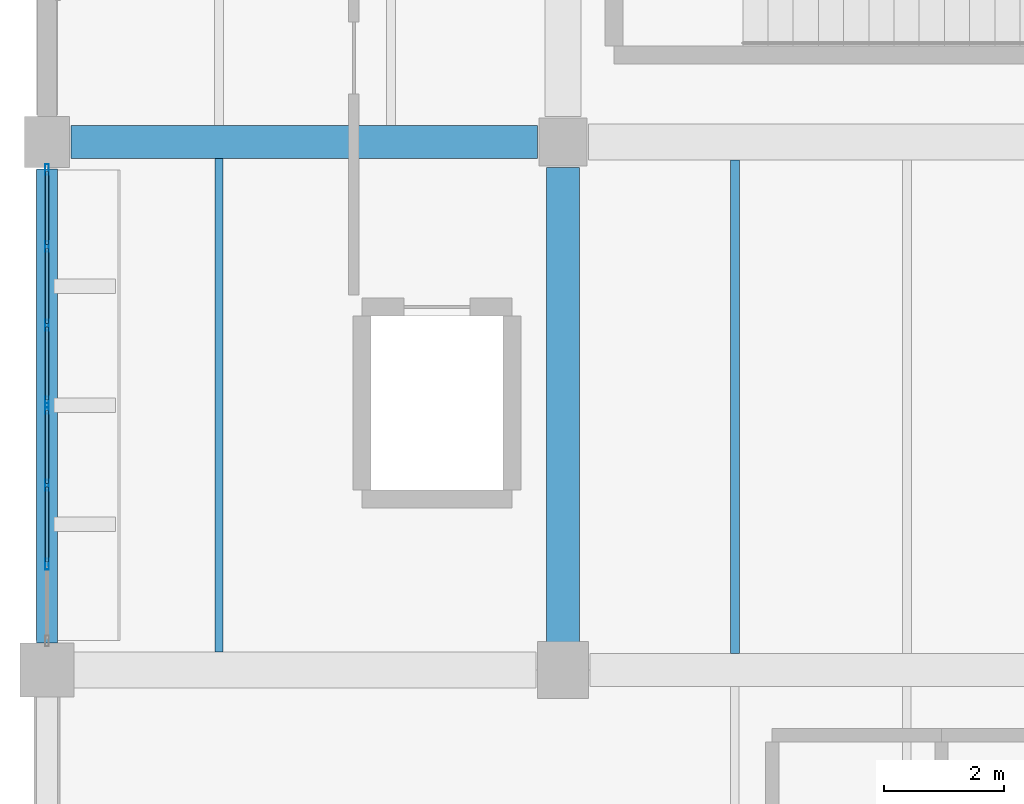
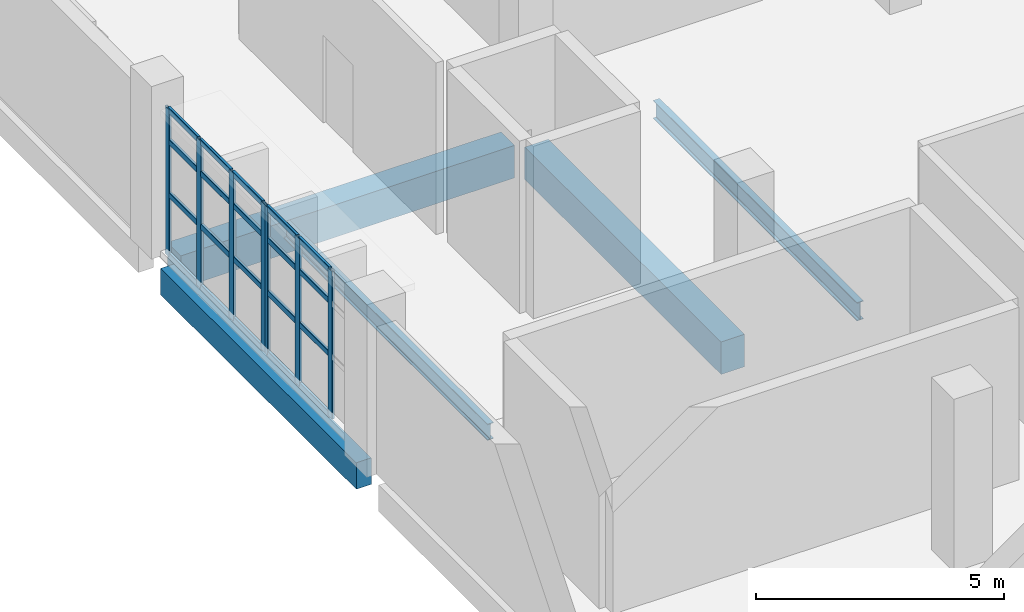
# One storey, part 15 of 76: 27 members, 5 beams, 2 elements without a shape of their own.
"""IFC4 building model written with IfcOpenShell, lengths in metres."""

from ifc_helpers import new_model, si_unit, direction, frame, origin, origin_2d, place, context, subcontext, project, spatial, rectangle, hollow_rectangle, i_section, extrude, material, material_profile, profile_set, type_object, element, aggregate, save


model = new_model("IFC4")

# Units and contexts
model_context = context("Model", 3, precision=1e-05, world=origin(), true_north=direction((0.0, 1.0)))
body_context = subcontext(model_context, "Body", "Model", "MODEL_VIEW")
ifc_project = project(units=[si_unit("LENGTHUNIT", "METRE"), si_unit("AREAUNIT", "SQUARE_METRE"), si_unit("VOLUMEUNIT", "CUBIC_METRE"), si_unit("PLANEANGLEUNIT", "RADIAN"), si_unit("MASSUNIT", "GRAM", prefix="KILO")], contexts=[model_context])

# Site, building, storey
site_placement = place(None, origin())
site = spatial("IfcSite", under=ifc_project, at=site_placement, CompositionType="ELEMENT")
building_placement = place(site_placement, origin())
building = spatial("IfcBuilding", under=site, at=building_placement, Name="Varnakota Cinema and Media Centre", CompositionType="ELEMENT")
storey_placement = place(building_placement, origin())
storey = spatial("IfcBuildingStorey", under=building, at=storey_placement, Name="L00", CompositionType="ELEMENT", Elevation=0.0)

# Beams
ifc_material_1 = material(Name="Concrete M35", Category="concrete")
ifc_material_profile_1 = material_profile(ifc_material_1, rectangle(XDim=0.550048828125, YDim=0.800048828125, at=origin_2d()), Name="RCB 550x800")
ifc_profile_set_1 = profile_set([ifc_material_profile_1], Name="Concrete M35")
beam_type_1 = type_object("IfcBeamType", Name="BM-RC-550x800", PredefinedType="BEAM", material=ifc_profile_set_1)
beam_1_placement = place(storey_placement, frame((0.39990234375, 44.0, -0.679931640625), z_axis=(1.0, 0.0, 0.0), x_axis=(0.0, 1.0, 0.0)))
element("IfcBeam", 1, at=beam_1_placement, inside=storey, type_object=beam_type_1, Name="L00 girder A-B/6", PredefinedType="BEAM", context=body_context, shape_type="SweptSolid", body=[
    extrude(rectangle(XDim=0.550048828125, YDim=0.800048828125, at=origin_2d()), origin(), (0.0, 0.0, 1.0), 7.775146484375),
])
beam_2_placement = place(storey_placement, frame((8.60009765625, 35.64990234375, -0.679931640625), z_axis=(0.0, 1.0, 0.0), x_axis=(-1.0, 0.0, 0.0)))
element("IfcBeam", 2, at=beam_2_placement, inside=storey, type_object=beam_type_1, Name="L00 girder B/5-6", PredefinedType="BEAM", context=body_context, shape_type="SweptSolid", body=[
    extrude(rectangle(XDim=0.550048828125, YDim=0.800048828125, at=origin_2d()), origin(), (0.0, 0.0, 1.0), 7.925048828125),
])
ifc_material_2 = material(Name="Concrete M40", Category="concrete")
ifc_material_profile_2 = material_profile(ifc_material_2, rectangle(XDim=0.35009765625, YDim=0.64990234375, at=origin_2d()), Name="RCB 350x650")
ifc_profile_set_2 = profile_set([ifc_material_profile_2], Name="Concrete M40")
beam_type_2 = type_object("IfcBeamType", Name="BM-SP-350x650", PredefinedType="SPANDREL", material=ifc_profile_set_2)
beam_3_placement = place(storey_placement, frame((0.0, 35.64990234375, -0.60498046875), z_axis=(0.0, 1.0, 0.0), x_axis=(-1.0, 0.0, 0.0)))
element("IfcBeam", 3, at=beam_3_placement, inside=storey, type_object=beam_type_2, Name="L00 girder A/5-6", PredefinedType="SPANDREL", context=body_context, shape_type="SweptSolid", body=[
    extrude(rectangle(XDim=0.35009765625, YDim=0.64990234375, at=origin_2d()), origin(), (0.0, 0.0, 1.0), 7.900146484375),
])
ifc_material_3 = material(Name="Structural steel Grade 350 (E350)", Category="steel")
ifc_material_profile_3 = material_profile(ifc_material_3, i_section(OverallWidth=0.139892578125, OverallDepth=0.39990234375, WebThickness=0.0087890625, FlangeThickness=0.01611328125, FilletRadius=0.013916015625, at=origin_2d()), Name="ISMB 400")
ifc_profile_set_3 = profile_set([ifc_material_profile_3], Name="Structural steel Grade 350 (E350)")
beam_type_3 = type_object("IfcBeamType", Name="BM-ST-ISMB400", PredefinedType="JOIST", material=ifc_profile_set_3)
beam_4_placement = place(storey_placement, frame((2.86669921875, 35.5, -0.47998046875), z_axis=(0.0, 1.0, 0.0), x_axis=(-1.0, 0.0, 0.0)))
element("IfcBeam", 4, at=beam_4_placement, inside=storey, type_object=beam_type_3, Name="L00 steel joist A-B/5-6 #1", PredefinedType="JOIST", context=body_context, shape_type="SweptSolid", body=[
    extrude(i_section(OverallWidth=0.139892578125, OverallDepth=0.39990234375, WebThickness=0.0087890625, FlangeThickness=0.01611328125, FilletRadius=0.013916015625, at=origin_2d()), origin(), (0.0, 0.0, 1.0), 8.22509765625),
])
ifc_material_4 = material(Name="Structural steel Grade 350 (E350)", Category="steel")
ifc_material_profile_4 = material_profile(ifc_material_4, i_section(OverallWidth=0.14990234375, OverallDepth=0.449951171875, WebThickness=0.009521484375, FlangeThickness=0.017333984375, FilletRadius=0.014892578125, at=origin_2d()), Name="ISMB 450")
ifc_profile_set_4 = profile_set([ifc_material_profile_4], Name="Structural steel Grade 350 (E350)")
beam_type_4 = type_object("IfcBeamType", Name="BM-ST-ISMB450", PredefinedType="BEAM", material=ifc_profile_set_4)
beam_5_placement = place(storey_placement, frame((11.466796875, 35.47509765625, -0.5048828125), z_axis=(0.0, 1.0, 0.0), x_axis=(-1.0, 0.0, 0.0)))
element("IfcBeam", 5, at=beam_5_placement, inside=storey, type_object=beam_type_4, Name="L00 steel joist B-C/5-6 #1", PredefinedType="BEAM", context=body_context, shape_type="SweptSolid", body=[
    extrude(i_section(OverallWidth=0.14990234375, OverallDepth=0.449951171875, WebThickness=0.009521484375, FlangeThickness=0.017333984375, FilletRadius=0.014892578125, at=origin_2d()), origin(), (0.0, 0.0, 1.0), 8.224853515625),
])

# Curtain wall, members
ifc_material_5 = material(Name="Thermally broken anodised aluminium AW-6063", Category="aluminium")
curtain_wall_type = type_object("IfcCurtainWallType", Name="CW-STD-394x364", PredefinedType="USERDEFINED", material=ifc_material_5)
curtain_wall_1_placement = place(storey_placement, origin())
curtain_wall_1 = element("IfcCurtainWall", 6, at=curtain_wall_1_placement, inside=storey, type_object=curtain_wall_type, Name="L00 curtain wall CW-L00-V5-W-S-02-1", ObjectType="UNITISED CURTAIN WALL", PredefinedType="USERDEFINED")
ifc_material_6 = material(Name="Thermally broken anodised aluminium AW-6063", Category="aluminium")
ifc_material_profile_5 = material_profile(ifc_material_6, hollow_rectangle(XDim=0.06494140625, YDim=0.179931640625, WallThickness=0.00390625, InnerFilletRadius=0.00390625, OuterFilletRadius=0.008056640625, at=origin_2d()), Name="AL-MULLION 180x65x4")
ifc_profile_set_5 = profile_set([ifc_material_profile_5], Name="Thermally broken anodised aluminium AW-6063")
member_type_1 = type_object("IfcMemberType", Name="CWM-AL-180", PredefinedType="MULLION", material=ifc_profile_set_5)
member_1_placement = place(storey_placement, frame((0.0, 43.54248046875, 0.0), z_axis=(0.0, 0.0, 1.0), x_axis=(1.0, 0.0, 0.0)))
member_1 = element("IfcMember", 7, at=member_1_placement, type_object=member_type_1, Name="CW16 mullion 1", PredefinedType="MULLION", context=body_context, shape_type="SweptSolid", body=[
    extrude(hollow_rectangle(XDim=0.06494140625, YDim=0.179931640625, WallThickness=0.00390625, InnerFilletRadius=0.00390625, OuterFilletRadius=0.008056640625, at=origin_2d()), origin(), (0.0, 0.0, 1.0), 3.635009765625),
])
member_2_placement = place(storey_placement, frame((0.0, 42.2607421875, 0.0), z_axis=(0.0, 0.0, 1.0), x_axis=(1.0, 0.0, 0.0)))
member_2 = element("IfcMember", 8, at=member_2_placement, type_object=member_type_1, Name="CW16 mullion 2", PredefinedType="MULLION", context=body_context, shape_type="SweptSolid", body=[
    extrude(hollow_rectangle(XDim=0.06494140625, YDim=0.179931640625, WallThickness=0.00390625, InnerFilletRadius=0.00390625, OuterFilletRadius=0.008056640625, at=origin_2d()), origin(), (0.0, 0.0, 1.0), 3.635009765625),
])
member_3_placement = place(storey_placement, frame((0.0, 40.94677734375, 0.0), z_axis=(0.0, 0.0, 1.0), x_axis=(1.0, 0.0, 0.0)))
member_3 = element("IfcMember", 9, at=member_3_placement, type_object=member_type_1, Name="CW16 mullion 3", PredefinedType="MULLION", context=body_context, shape_type="SweptSolid", body=[
    extrude(hollow_rectangle(XDim=0.06494140625, YDim=0.179931640625, WallThickness=0.00390625, InnerFilletRadius=0.00390625, OuterFilletRadius=0.008056640625, at=origin_2d()), origin(), (0.0, 0.0, 1.0), 3.635009765625),
])
member_4_placement = place(storey_placement, frame((0.0, 39.6650390625, 0.0), z_axis=(0.0, 0.0, 1.0), x_axis=(1.0, 0.0, 0.0)))
member_4 = element("IfcMember", 10, at=member_4_placement, type_object=member_type_1, Name="CW16 mullion 4", PredefinedType="MULLION", context=body_context, shape_type="SweptSolid", body=[
    extrude(hollow_rectangle(XDim=0.06494140625, YDim=0.179931640625, WallThickness=0.00390625, InnerFilletRadius=0.00390625, OuterFilletRadius=0.008056640625, at=origin_2d()), origin(), (0.0, 0.0, 1.0), 3.635009765625),
])

curtain_wall_2_placement = place(storey_placement, origin())
curtain_wall_2 = element("IfcCurtainWall", 11, at=curtain_wall_2_placement, inside=storey, type_object=curtain_wall_type, Name="L00 curtain wall CW-L00-V5-W-S-02-2", ObjectType="UNITISED CURTAIN WALL", PredefinedType="USERDEFINED")
member_5_placement = place(storey_placement, frame((0.0, 39.56005859375, 0.0), z_axis=(0.0, 0.0, 1.0), x_axis=(1.0, 0.0, 0.0)))
member_5 = element("IfcMember", 12, at=member_5_placement, type_object=member_type_1, Name="CW16 mullion 1", PredefinedType="MULLION", context=body_context, shape_type="SweptSolid", body=[
    extrude(hollow_rectangle(XDim=0.06494140625, YDim=0.179931640625, WallThickness=0.00390625, InnerFilletRadius=0.00390625, OuterFilletRadius=0.008056640625, at=origin_2d()), origin(), (0.0, 0.0, 1.0), 3.635009765625),
])
member_6_placement = place(storey_placement, frame((0.0, 38.2783203125, 0.0), z_axis=(0.0, 0.0, 1.0), x_axis=(1.0, 0.0, 0.0)))
member_6 = element("IfcMember", 13, at=member_6_placement, type_object=member_type_1, Name="CW16 mullion 2", PredefinedType="MULLION", context=body_context, shape_type="SweptSolid", body=[
    extrude(hollow_rectangle(XDim=0.06494140625, YDim=0.179931640625, WallThickness=0.00390625, InnerFilletRadius=0.00390625, OuterFilletRadius=0.008056640625, at=origin_2d()), origin(), (0.0, 0.0, 1.0), 3.635009765625),
])
member_7_placement = place(storey_placement, frame((0.0, 36.964111328125, 0.0), z_axis=(0.0, 0.0, 1.0), x_axis=(1.0, 0.0, 0.0)))
member_7 = element("IfcMember", 14, at=member_7_placement, type_object=member_type_1, Name="CW16 mullion 3", PredefinedType="MULLION", context=body_context, shape_type="SweptSolid", body=[
    extrude(hollow_rectangle(XDim=0.06494140625, YDim=0.179931640625, WallThickness=0.00390625, InnerFilletRadius=0.00390625, OuterFilletRadius=0.008056640625, at=origin_2d()), origin(), (0.0, 0.0, 1.0), 3.635009765625),
])

# Member
ifc_material_7 = material(Name="Thermally broken anodised aluminium AW-6063", Category="aluminium")
ifc_material_profile_6 = material_profile(ifc_material_7, hollow_rectangle(XDim=0.06494140625, YDim=0.139892578125, WallThickness=0.00390625, InnerFilletRadius=0.00390625, OuterFilletRadius=0.008056640625, at=origin_2d()), Name="AL-TRANSOM 140x65x4")
ifc_profile_set_6 = profile_set([ifc_material_profile_6], Name="Thermally broken anodised aluminium AW-6063")
member_type_2 = type_object("IfcMemberType", Name="CWT-AL-140", PredefinedType="USERDEFINED", material=ifc_profile_set_6)
member_8_placement = place(storey_placement, frame((0.0, 43.510009765625, 0.032470703125), z_axis=(0.0, -1.0, 0.0), x_axis=(1.0, 0.0, 0.0)))
member_8 = element("IfcMember", 15, at=member_8_placement, type_object=member_type_2, Name="CW16 transom 1.1", ObjectType="TRANSOM", PredefinedType="USERDEFINED", context=body_context, shape_type="SweptSolid", body=[
    extrude(hollow_rectangle(XDim=0.06494140625, YDim=0.139892578125, WallThickness=0.00390625, InnerFilletRadius=0.00390625, OuterFilletRadius=0.008056640625, at=origin_2d()), origin(), (0.0, 0.0, 1.0), 1.216796875),
])

member_9_placement = place(storey_placement, frame((0.0, 43.510009765625, 1.526611328125), z_axis=(0.0, -1.0, 0.0), x_axis=(1.0, 0.0, 0.0)))
member_9 = element("IfcMember", 16, at=member_9_placement, type_object=member_type_2, Name="CW16 transom 1.2", ObjectType="TRANSOM", PredefinedType="USERDEFINED", context=body_context, shape_type="SweptSolid", body=[
    extrude(hollow_rectangle(XDim=0.06494140625, YDim=0.139892578125, WallThickness=0.00390625, InnerFilletRadius=0.00390625, OuterFilletRadius=0.008056640625, at=origin_2d()), origin(), (0.0, 0.0, 1.0), 1.216796875),
])

member_10_placement = place(storey_placement, frame((0.0, 43.510009765625, 2.835205078125), z_axis=(0.0, -1.0, 0.0), x_axis=(1.0, 0.0, 0.0)))
member_10 = element("IfcMember", 17, at=member_10_placement, type_object=member_type_2, Name="CW16 transom 1.3", ObjectType="TRANSOM", PredefinedType="USERDEFINED", context=body_context, shape_type="SweptSolid", body=[
    extrude(hollow_rectangle(XDim=0.06494140625, YDim=0.139892578125, WallThickness=0.00390625, InnerFilletRadius=0.00390625, OuterFilletRadius=0.008056640625, at=origin_2d()), origin(), (0.0, 0.0, 1.0), 1.216796875),
])

member_11_placement = place(storey_placement, frame((0.0, 43.510009765625, 3.6025390625), z_axis=(0.0, -1.0, 0.0), x_axis=(1.0, 0.0, 0.0)))
member_11 = element("IfcMember", 18, at=member_11_placement, type_object=member_type_2, Name="CW16 transom 1.4", ObjectType="TRANSOM", PredefinedType="USERDEFINED", context=body_context, shape_type="SweptSolid", body=[
    extrude(hollow_rectangle(XDim=0.06494140625, YDim=0.139892578125, WallThickness=0.00390625, InnerFilletRadius=0.00390625, OuterFilletRadius=0.008056640625, at=origin_2d()), origin(), (0.0, 0.0, 1.0), 1.216796875),
])

member_12_placement = place(storey_placement, frame((0.0, 42.228271484375, 0.032470703125), z_axis=(0.0, -1.0, 0.0), x_axis=(1.0, 0.0, 0.0)))
member_12 = element("IfcMember", 19, at=member_12_placement, type_object=member_type_2, Name="CW16 transom 2.1", ObjectType="TRANSOM", PredefinedType="USERDEFINED", context=body_context, shape_type="SweptSolid", body=[
    extrude(hollow_rectangle(XDim=0.06494140625, YDim=0.139892578125, WallThickness=0.00390625, InnerFilletRadius=0.00390625, OuterFilletRadius=0.008056640625, at=origin_2d()), origin(), (0.0, 0.0, 1.0), 1.2490234375),
])

member_13_placement = place(storey_placement, frame((0.0, 42.228271484375, 1.526611328125), z_axis=(0.0, -1.0, 0.0), x_axis=(1.0, 0.0, 0.0)))
member_13 = element("IfcMember", 20, at=member_13_placement, type_object=member_type_2, Name="CW16 transom 2.2", ObjectType="TRANSOM", PredefinedType="USERDEFINED", context=body_context, shape_type="SweptSolid", body=[
    extrude(hollow_rectangle(XDim=0.06494140625, YDim=0.139892578125, WallThickness=0.00390625, InnerFilletRadius=0.00390625, OuterFilletRadius=0.008056640625, at=origin_2d()), origin(), (0.0, 0.0, 1.0), 1.2490234375),
])

member_14_placement = place(storey_placement, frame((0.0, 42.228271484375, 2.835205078125), z_axis=(0.0, -1.0, 0.0), x_axis=(1.0, 0.0, 0.0)))
member_14 = element("IfcMember", 21, at=member_14_placement, type_object=member_type_2, Name="CW16 transom 2.3", ObjectType="TRANSOM", PredefinedType="USERDEFINED", context=body_context, shape_type="SweptSolid", body=[
    extrude(hollow_rectangle(XDim=0.06494140625, YDim=0.139892578125, WallThickness=0.00390625, InnerFilletRadius=0.00390625, OuterFilletRadius=0.008056640625, at=origin_2d()), origin(), (0.0, 0.0, 1.0), 1.2490234375),
])

member_15_placement = place(storey_placement, frame((0.0, 42.228271484375, 3.6025390625), z_axis=(0.0, -1.0, 0.0), x_axis=(1.0, 0.0, 0.0)))
member_15 = element("IfcMember", 22, at=member_15_placement, type_object=member_type_2, Name="CW16 transom 2.4", ObjectType="TRANSOM", PredefinedType="USERDEFINED", context=body_context, shape_type="SweptSolid", body=[
    extrude(hollow_rectangle(XDim=0.06494140625, YDim=0.139892578125, WallThickness=0.00390625, InnerFilletRadius=0.00390625, OuterFilletRadius=0.008056640625, at=origin_2d()), origin(), (0.0, 0.0, 1.0), 1.2490234375),
])

member_16_placement = place(storey_placement, frame((0.0, 40.9140625, 0.032470703125), z_axis=(0.0, -1.0, 0.0), x_axis=(1.0, 0.0, 0.0)))
member_16 = element("IfcMember", 23, at=member_16_placement, type_object=member_type_2, Name="CW16 transom 3.1", ObjectType="TRANSOM", PredefinedType="USERDEFINED", context=body_context, shape_type="SweptSolid", body=[
    extrude(hollow_rectangle(XDim=0.06494140625, YDim=0.139892578125, WallThickness=0.00390625, InnerFilletRadius=0.00390625, OuterFilletRadius=0.008056640625, at=origin_2d()), origin(), (0.0, 0.0, 1.0), 1.216552734375),
])

member_17_placement = place(storey_placement, frame((0.0, 40.9140625, 1.526611328125), z_axis=(0.0, -1.0, 0.0), x_axis=(1.0, 0.0, 0.0)))
member_17 = element("IfcMember", 24, at=member_17_placement, type_object=member_type_2, Name="CW16 transom 3.2", ObjectType="TRANSOM", PredefinedType="USERDEFINED", context=body_context, shape_type="SweptSolid", body=[
    extrude(hollow_rectangle(XDim=0.06494140625, YDim=0.139892578125, WallThickness=0.00390625, InnerFilletRadius=0.00390625, OuterFilletRadius=0.008056640625, at=origin_2d()), origin(), (0.0, 0.0, 1.0), 1.216552734375),
])

member_18_placement = place(storey_placement, frame((0.0, 40.9140625, 2.835205078125), z_axis=(0.0, -1.0, 0.0), x_axis=(1.0, 0.0, 0.0)))
member_18 = element("IfcMember", 25, at=member_18_placement, type_object=member_type_2, Name="CW16 transom 3.3", ObjectType="TRANSOM", PredefinedType="USERDEFINED", context=body_context, shape_type="SweptSolid", body=[
    extrude(hollow_rectangle(XDim=0.06494140625, YDim=0.139892578125, WallThickness=0.00390625, InnerFilletRadius=0.00390625, OuterFilletRadius=0.008056640625, at=origin_2d()), origin(), (0.0, 0.0, 1.0), 1.216552734375),
])

member_19_placement = place(storey_placement, frame((0.0, 40.9140625, 3.6025390625), z_axis=(0.0, -1.0, 0.0), x_axis=(1.0, 0.0, 0.0)))
member_19 = element("IfcMember", 26, at=member_19_placement, type_object=member_type_2, Name="CW16 transom 3.4", ObjectType="TRANSOM", PredefinedType="USERDEFINED", context=body_context, shape_type="SweptSolid", body=[
    extrude(hollow_rectangle(XDim=0.06494140625, YDim=0.139892578125, WallThickness=0.00390625, InnerFilletRadius=0.00390625, OuterFilletRadius=0.008056640625, at=origin_2d()), origin(), (0.0, 0.0, 1.0), 1.216552734375),
])

aggregate(curtain_wall_1, [member_1, member_2, member_3, member_4, member_8, member_9, member_10, member_11, member_12, member_13, member_14, member_15, member_16, member_17, member_18, member_19])

member_20_placement = place(storey_placement, frame((0.0, 39.527587890625, 0.032470703125), z_axis=(0.0, -1.0, 0.0), x_axis=(1.0, 0.0, 0.0)))
member_20 = element("IfcMember", 27, at=member_20_placement, type_object=member_type_2, Name="CW16 transom 1.1", ObjectType="TRANSOM", PredefinedType="USERDEFINED", context=body_context, shape_type="SweptSolid", body=[
    extrude(hollow_rectangle(XDim=0.06494140625, YDim=0.139892578125, WallThickness=0.00390625, InnerFilletRadius=0.00390625, OuterFilletRadius=0.008056640625, at=origin_2d()), origin(), (0.0, 0.0, 1.0), 1.216796875),
])

member_21_placement = place(storey_placement, frame((0.0, 39.527587890625, 1.526611328125), z_axis=(0.0, -1.0, 0.0), x_axis=(1.0, 0.0, 0.0)))
member_21 = element("IfcMember", 28, at=member_21_placement, type_object=member_type_2, Name="CW16 transom 1.2", ObjectType="TRANSOM", PredefinedType="USERDEFINED", context=body_context, shape_type="SweptSolid", body=[
    extrude(hollow_rectangle(XDim=0.06494140625, YDim=0.139892578125, WallThickness=0.00390625, InnerFilletRadius=0.00390625, OuterFilletRadius=0.008056640625, at=origin_2d()), origin(), (0.0, 0.0, 1.0), 1.216796875),
])

member_22_placement = place(storey_placement, frame((0.0, 39.527587890625, 2.835205078125), z_axis=(0.0, -1.0, 0.0), x_axis=(1.0, 0.0, 0.0)))
member_22 = element("IfcMember", 29, at=member_22_placement, type_object=member_type_2, Name="CW16 transom 1.3", ObjectType="TRANSOM", PredefinedType="USERDEFINED", context=body_context, shape_type="SweptSolid", body=[
    extrude(hollow_rectangle(XDim=0.06494140625, YDim=0.139892578125, WallThickness=0.00390625, InnerFilletRadius=0.00390625, OuterFilletRadius=0.008056640625, at=origin_2d()), origin(), (0.0, 0.0, 1.0), 1.216796875),
])

member_23_placement = place(storey_placement, frame((0.0, 39.527587890625, 3.6025390625), z_axis=(0.0, -1.0, 0.0), x_axis=(1.0, 0.0, 0.0)))
member_23 = element("IfcMember", 30, at=member_23_placement, type_object=member_type_2, Name="CW16 transom 1.4", ObjectType="TRANSOM", PredefinedType="USERDEFINED", context=body_context, shape_type="SweptSolid", body=[
    extrude(hollow_rectangle(XDim=0.06494140625, YDim=0.139892578125, WallThickness=0.00390625, InnerFilletRadius=0.00390625, OuterFilletRadius=0.008056640625, at=origin_2d()), origin(), (0.0, 0.0, 1.0), 1.216796875),
])

member_24_placement = place(storey_placement, frame((0.0, 38.245849609375, 0.032470703125), z_axis=(0.0, -1.0, 0.0), x_axis=(1.0, 0.0, 0.0)))
member_24 = element("IfcMember", 31, at=member_24_placement, type_object=member_type_2, Name="CW16 transom 2.1", ObjectType="TRANSOM", PredefinedType="USERDEFINED", context=body_context, shape_type="SweptSolid", body=[
    extrude(hollow_rectangle(XDim=0.06494140625, YDim=0.139892578125, WallThickness=0.00390625, InnerFilletRadius=0.00390625, OuterFilletRadius=0.008056640625, at=origin_2d()), origin(), (0.0, 0.0, 1.0), 1.249267578125),
])

member_25_placement = place(storey_placement, frame((0.0, 38.245849609375, 1.526611328125), z_axis=(0.0, -1.0, 0.0), x_axis=(1.0, 0.0, 0.0)))
member_25 = element("IfcMember", 32, at=member_25_placement, type_object=member_type_2, Name="CW16 transom 2.2", ObjectType="TRANSOM", PredefinedType="USERDEFINED", context=body_context, shape_type="SweptSolid", body=[
    extrude(hollow_rectangle(XDim=0.06494140625, YDim=0.139892578125, WallThickness=0.00390625, InnerFilletRadius=0.00390625, OuterFilletRadius=0.008056640625, at=origin_2d()), origin(), (0.0, 0.0, 1.0), 1.249267578125),
])

member_26_placement = place(storey_placement, frame((0.0, 38.245849609375, 2.835205078125), z_axis=(0.0, -1.0, 0.0), x_axis=(1.0, 0.0, 0.0)))
member_26 = element("IfcMember", 33, at=member_26_placement, type_object=member_type_2, Name="CW16 transom 2.3", ObjectType="TRANSOM", PredefinedType="USERDEFINED", context=body_context, shape_type="SweptSolid", body=[
    extrude(hollow_rectangle(XDim=0.06494140625, YDim=0.139892578125, WallThickness=0.00390625, InnerFilletRadius=0.00390625, OuterFilletRadius=0.008056640625, at=origin_2d()), origin(), (0.0, 0.0, 1.0), 1.249267578125),
])

member_27_placement = place(storey_placement, frame((0.0, 38.245849609375, 3.6025390625), z_axis=(0.0, -1.0, 0.0), x_axis=(1.0, 0.0, 0.0)))
member_27 = element("IfcMember", 34, at=member_27_placement, type_object=member_type_2, Name="CW16 transom 2.4", ObjectType="TRANSOM", PredefinedType="USERDEFINED", context=body_context, shape_type="SweptSolid", body=[
    extrude(hollow_rectangle(XDim=0.06494140625, YDim=0.139892578125, WallThickness=0.00390625, InnerFilletRadius=0.00390625, OuterFilletRadius=0.008056640625, at=origin_2d()), origin(), (0.0, 0.0, 1.0), 1.249267578125),
])

aggregate(curtain_wall_2, [member_5, member_6, member_7, member_20, member_21, member_22, member_23, member_24, member_25, member_26, member_27])

save(model, "model.ifc")
